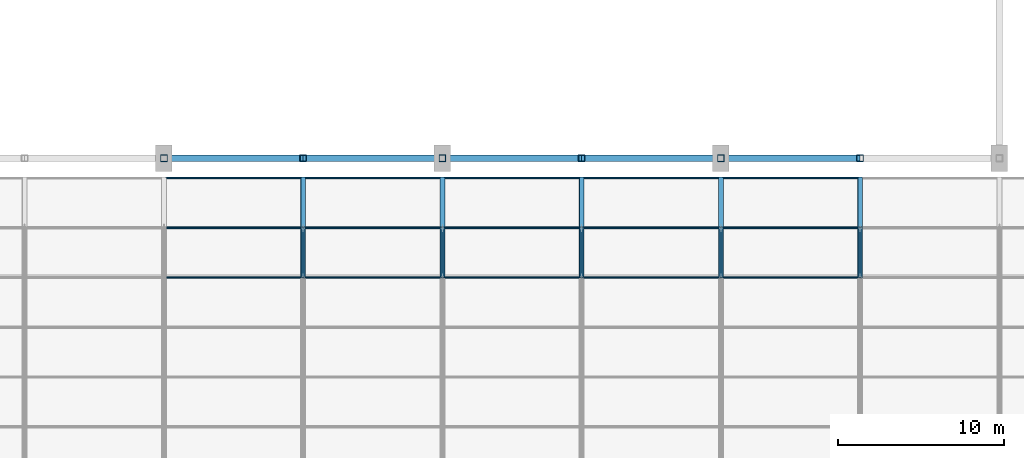
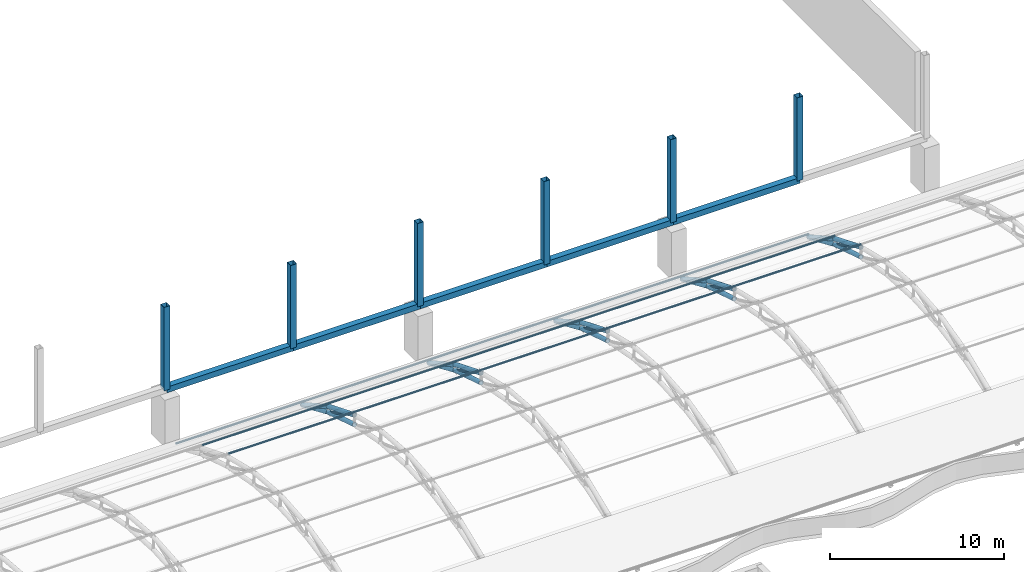
# One storey, part 54 of 163: 51 members.
"""IFC4 building model written with IfcOpenShell, lengths in metres."""

from ifc_helpers import new_model, si_unit, direction, frame, origin, origin_2d, place, context, subcontext, project, spatial, hollow_rectangle, hollow_circle, extrude, material, material_profile, profile_set, type_object, element, save


model = new_model("IFC4")

# Units and contexts
model_context = context("Model", 3, precision=1e-05, world=origin(), true_north=direction((0.0, 1.0)))
body_context = subcontext(model_context, "Body", "Model", "MODEL_VIEW")
ifc_project = project(units=[si_unit("LENGTHUNIT", "METRE"), si_unit("AREAUNIT", "SQUARE_METRE"), si_unit("VOLUMEUNIT", "CUBIC_METRE"), si_unit("PLANEANGLEUNIT", "RADIAN"), si_unit("MASSUNIT", "GRAM", prefix="KILO")], contexts=[model_context])

# Site, building, storey
site_placement = place(None, origin())
site = spatial("IfcSite", under=ifc_project, at=site_placement, CompositionType="ELEMENT")
building_placement = place(site_placement, origin())
building = spatial("IfcBuilding", under=site, at=building_placement, Name="Rain Tree Exposition and Congress Centre", CompositionType="ELEMENT")
storey_placement = place(building_placement, frame((0.0, 0.0, 10.5)))
storey = spatial("IfcBuildingStorey", under=building, at=storey_placement, Name="L02", CompositionType="ELEMENT", Elevation=10.5)

# Members
ifc_material_1 = material(Name="Steel S355J2H", Category="steel")
ifc_material_profile_1 = material_profile(ifc_material_1, hollow_circle(Radius=0.090087890625, WallThickness=0.008056640625, at=origin_2d()), Name="CHS 180x8")
ifc_profile_set_1 = profile_set([ifc_material_profile_1], Name="Steel S355J2H")
member_type_1 = type_object("IfcMemberType", Name="Steel brace member CHS 180x8", PredefinedType="BRACE", material=ifc_profile_set_1)
for number, where, z_axis, x_axis, name in (
    (1, (201.60009765625, 96.60009765625, 1.4423828125), (0.0, -0.880818418444, 0.473454236151), (1.0, 0.0, 0.0), "Roof truss 25 diagonal 6"),
    (2, (210.0, 96.60009765625, 1.4423828125), (0.0, -0.880818418444, 0.473454236151), (1.0, 0.0, 0.0), "Roof truss 26 diagonal 6"),
    (3, (218.39990234375, 96.60009765625, 1.4423828125), (0.0, -0.880818418444, 0.473454236151), (1.0, 0.0, 0.0), "Roof truss 27 diagonal 6"),
    (4, (226.800048828125, 96.60009765625, 1.4423828125), (0.0, -0.880818418444, 0.473454236151), (1.0, 0.0, 0.0), "Roof truss 28 diagonal 6"),
    (5, (235.199951171875, 96.60009765625, 1.4423828125), (0.0, -0.880818418444, 0.473454236151), (1.0, 0.0, 0.0), "Roof truss 29 diagonal 6"),
):
    element("IfcMember", number, at=place(storey_placement, frame(where, z_axis=z_axis, x_axis=x_axis)), inside=storey, type_object=member_type_1, Name=name, PredefinedType="BRACE", context=body_context, shape_type="SweptSolid", body=[
        extrude(hollow_circle(Radius=0.090087890625, WallThickness=0.008056640625, at=origin_2d()), origin(), (0.0, 0.0, 1.0), 3.406005859375),
    ])
ifc_material_2 = material(Name="Steel S355J2H", Category="steel")
ifc_material_profile_2 = material_profile(ifc_material_2, hollow_circle(Radius=0.14990234375, WallThickness=0.013916015625, at=origin_2d()), Name="CHS 300x14")
ifc_profile_set_2 = profile_set([ifc_material_profile_2], Name="Steel S355J2H")
member_type_2 = type_object("IfcMemberType", Name="Steel chord member CHS 300x14", PredefinedType="CHORD", material=ifc_profile_set_2)
member_1_placement = place(storey_placement, frame((201.60009765625, 93.60009765625, 3.054931640625), z_axis=(0.0, 0.926466577122, -0.376377046956), x_axis=(-1.0, 0.0, 0.0)))
element("IfcMember", 6, at=member_1_placement, inside=storey, type_object=member_type_2, Name="Roof truss 25 top chord 7", PredefinedType="CHORD", context=body_context, shape_type="SweptSolid", body=[
    extrude(hollow_circle(Radius=0.14990234375, WallThickness=0.013916015625, at=origin_2d()), origin(), (0.0, 0.0, 1.0), 3.238037109375),
])
member_2_placement = place(storey_placement, frame((201.60009765625, 93.60009765625, 2.3798828125), z_axis=(0.0, 0.954479978035, -0.298274993136), x_axis=(-1.0, 0.0, 0.0)))
element("IfcMember", 7, at=member_2_placement, inside=storey, type_object=member_type_2, Name="Roof truss 25 bottom chord 7", PredefinedType="CHORD", context=body_context, shape_type="SweptSolid", body=[
    extrude(hollow_circle(Radius=0.14990234375, WallThickness=0.013916015625, at=origin_2d()), origin(), (0.0, 0.0, 1.0), 3.14306640625),
])
member_3_placement = place(storey_placement, frame((201.60009765625, 96.60009765625, 1.836181640625), z_axis=(0.0, 0.869238262324, -0.494393409455), x_axis=(-1.0, 0.0, 0.0)))
element("IfcMember", 8, at=member_3_placement, inside=storey, type_object=member_type_2, Name="Roof truss 25 top chord 8", PredefinedType="CHORD", context=body_context, shape_type="SweptSolid", body=[
    extrude(hollow_circle(Radius=0.14990234375, WallThickness=0.013916015625, at=origin_2d()), origin(), (0.0, 0.0, 1.0), 3.451416015625),
])
member_4_placement = place(storey_placement, frame((201.60009765625, 96.60009765625, 1.4423828125), z_axis=(0.0, 0.916157334902, -0.40081883402), x_axis=(-1.0, 0.0, 0.0)))
element("IfcMember", 9, at=member_4_placement, inside=storey, type_object=member_type_2, Name="Roof truss 25 bottom chord 8", PredefinedType="CHORD", context=body_context, shape_type="SweptSolid", body=[
    extrude(hollow_circle(Radius=0.14990234375, WallThickness=0.013916015625, at=origin_2d()), origin(), (0.0, 0.0, 1.0), 3.274658203125),
])
member_5_placement = place(storey_placement, frame((210.0, 93.60009765625, 3.054931640625), z_axis=(0.0, 0.926466577122, -0.376377046956), x_axis=(-1.0, 0.0, 0.0)))
element("IfcMember", 10, at=member_5_placement, inside=storey, type_object=member_type_2, Name="Roof truss 26 top chord 7", PredefinedType="CHORD", context=body_context, shape_type="SweptSolid", body=[
    extrude(hollow_circle(Radius=0.14990234375, WallThickness=0.013916015625, at=origin_2d()), origin(), (0.0, 0.0, 1.0), 3.238037109375),
])
member_6_placement = place(storey_placement, frame((210.0, 93.60009765625, 2.3798828125), z_axis=(0.0, 0.954479978035, -0.298274993136), x_axis=(-1.0, 0.0, 0.0)))
element("IfcMember", 11, at=member_6_placement, inside=storey, type_object=member_type_2, Name="Roof truss 26 bottom chord 7", PredefinedType="CHORD", context=body_context, shape_type="SweptSolid", body=[
    extrude(hollow_circle(Radius=0.14990234375, WallThickness=0.013916015625, at=origin_2d()), origin(), (0.0, 0.0, 1.0), 3.14306640625),
])
member_7_placement = place(storey_placement, frame((210.0, 96.60009765625, 1.836181640625), z_axis=(0.0, 0.869238262324, -0.494393409455), x_axis=(-1.0, 0.0, 0.0)))
element("IfcMember", 12, at=member_7_placement, inside=storey, type_object=member_type_2, Name="Roof truss 26 top chord 8", PredefinedType="CHORD", context=body_context, shape_type="SweptSolid", body=[
    extrude(hollow_circle(Radius=0.14990234375, WallThickness=0.013916015625, at=origin_2d()), origin(), (0.0, 0.0, 1.0), 3.451416015625),
])
member_8_placement = place(storey_placement, frame((210.0, 96.60009765625, 1.4423828125), z_axis=(0.0, 0.916157334902, -0.40081883402), x_axis=(-1.0, 0.0, 0.0)))
element("IfcMember", 13, at=member_8_placement, inside=storey, type_object=member_type_2, Name="Roof truss 26 bottom chord 8", PredefinedType="CHORD", context=body_context, shape_type="SweptSolid", body=[
    extrude(hollow_circle(Radius=0.14990234375, WallThickness=0.013916015625, at=origin_2d()), origin(), (0.0, 0.0, 1.0), 3.274658203125),
])
member_9_placement = place(storey_placement, frame((218.39990234375, 93.60009765625, 3.054931640625), z_axis=(0.0, 0.926466577122, -0.376377046956), x_axis=(-1.0, 0.0, 0.0)))
element("IfcMember", 14, at=member_9_placement, inside=storey, type_object=member_type_2, Name="Roof truss 27 top chord 7", PredefinedType="CHORD", context=body_context, shape_type="SweptSolid", body=[
    extrude(hollow_circle(Radius=0.14990234375, WallThickness=0.013916015625, at=origin_2d()), origin(), (0.0, 0.0, 1.0), 3.238037109375),
])
member_10_placement = place(storey_placement, frame((218.39990234375, 93.60009765625, 2.3798828125), z_axis=(0.0, 0.954479978035, -0.298274993136), x_axis=(-1.0, 0.0, 0.0)))
element("IfcMember", 15, at=member_10_placement, inside=storey, type_object=member_type_2, Name="Roof truss 27 bottom chord 7", PredefinedType="CHORD", context=body_context, shape_type="SweptSolid", body=[
    extrude(hollow_circle(Radius=0.14990234375, WallThickness=0.013916015625, at=origin_2d()), origin(), (0.0, 0.0, 1.0), 3.14306640625),
])
member_11_placement = place(storey_placement, frame((218.39990234375, 96.60009765625, 1.836181640625), z_axis=(0.0, 0.869238262324, -0.494393409455), x_axis=(-1.0, 0.0, 0.0)))
element("IfcMember", 16, at=member_11_placement, inside=storey, type_object=member_type_2, Name="Roof truss 27 top chord 8", PredefinedType="CHORD", context=body_context, shape_type="SweptSolid", body=[
    extrude(hollow_circle(Radius=0.14990234375, WallThickness=0.013916015625, at=origin_2d()), origin(), (0.0, 0.0, 1.0), 3.451416015625),
])
member_12_placement = place(storey_placement, frame((218.39990234375, 96.60009765625, 1.4423828125), z_axis=(0.0, 0.916157334902, -0.40081883402), x_axis=(-1.0, 0.0, 0.0)))
element("IfcMember", 17, at=member_12_placement, inside=storey, type_object=member_type_2, Name="Roof truss 27 bottom chord 8", PredefinedType="CHORD", context=body_context, shape_type="SweptSolid", body=[
    extrude(hollow_circle(Radius=0.14990234375, WallThickness=0.013916015625, at=origin_2d()), origin(), (0.0, 0.0, 1.0), 3.274658203125),
])
member_13_placement = place(storey_placement, frame((226.800048828125, 93.60009765625, 3.054931640625), z_axis=(0.0, 0.926466577122, -0.376377046956), x_axis=(-1.0, 0.0, 0.0)))
element("IfcMember", 18, at=member_13_placement, inside=storey, type_object=member_type_2, Name="Roof truss 28 top chord 7", PredefinedType="CHORD", context=body_context, shape_type="SweptSolid", body=[
    extrude(hollow_circle(Radius=0.14990234375, WallThickness=0.013916015625, at=origin_2d()), origin(), (0.0, 0.0, 1.0), 3.238037109375),
])
member_14_placement = place(storey_placement, frame((226.800048828125, 93.60009765625, 2.3798828125), z_axis=(0.0, 0.954479978035, -0.298274993136), x_axis=(-1.0, 0.0, 0.0)))
element("IfcMember", 19, at=member_14_placement, inside=storey, type_object=member_type_2, Name="Roof truss 28 bottom chord 7", PredefinedType="CHORD", context=body_context, shape_type="SweptSolid", body=[
    extrude(hollow_circle(Radius=0.14990234375, WallThickness=0.013916015625, at=origin_2d()), origin(), (0.0, 0.0, 1.0), 3.14306640625),
])
member_15_placement = place(storey_placement, frame((226.800048828125, 96.60009765625, 1.836181640625), z_axis=(0.0, 0.869238262324, -0.494393409455), x_axis=(-1.0, 0.0, 0.0)))
element("IfcMember", 20, at=member_15_placement, inside=storey, type_object=member_type_2, Name="Roof truss 28 top chord 8", PredefinedType="CHORD", context=body_context, shape_type="SweptSolid", body=[
    extrude(hollow_circle(Radius=0.14990234375, WallThickness=0.013916015625, at=origin_2d()), origin(), (0.0, 0.0, 1.0), 3.451416015625),
])
member_16_placement = place(storey_placement, frame((226.800048828125, 96.60009765625, 1.4423828125), z_axis=(0.0, 0.916157334902, -0.40081883402), x_axis=(-1.0, 0.0, 0.0)))
element("IfcMember", 21, at=member_16_placement, inside=storey, type_object=member_type_2, Name="Roof truss 28 bottom chord 8", PredefinedType="CHORD", context=body_context, shape_type="SweptSolid", body=[
    extrude(hollow_circle(Radius=0.14990234375, WallThickness=0.013916015625, at=origin_2d()), origin(), (0.0, 0.0, 1.0), 3.274658203125),
])
member_17_placement = place(storey_placement, frame((235.199951171875, 93.60009765625, 3.054931640625), z_axis=(0.0, 0.926466577122, -0.376377046956), x_axis=(-1.0, 0.0, 0.0)))
element("IfcMember", 22, at=member_17_placement, inside=storey, type_object=member_type_2, Name="Roof truss 29 top chord 7", PredefinedType="CHORD", context=body_context, shape_type="SweptSolid", body=[
    extrude(hollow_circle(Radius=0.14990234375, WallThickness=0.013916015625, at=origin_2d()), origin(), (0.0, 0.0, 1.0), 3.238037109375),
])
member_18_placement = place(storey_placement, frame((235.199951171875, 93.60009765625, 2.3798828125), z_axis=(0.0, 0.954479978035, -0.298274993136), x_axis=(-1.0, 0.0, 0.0)))
element("IfcMember", 23, at=member_18_placement, inside=storey, type_object=member_type_2, Name="Roof truss 29 bottom chord 7", PredefinedType="CHORD", context=body_context, shape_type="SweptSolid", body=[
    extrude(hollow_circle(Radius=0.14990234375, WallThickness=0.013916015625, at=origin_2d()), origin(), (0.0, 0.0, 1.0), 3.14306640625),
])
member_19_placement = place(storey_placement, frame((235.199951171875, 96.60009765625, 1.836181640625), z_axis=(0.0, 0.869238262324, -0.494393409455), x_axis=(-1.0, 0.0, 0.0)))
element("IfcMember", 24, at=member_19_placement, inside=storey, type_object=member_type_2, Name="Roof truss 29 top chord 8", PredefinedType="CHORD", context=body_context, shape_type="SweptSolid", body=[
    extrude(hollow_circle(Radius=0.14990234375, WallThickness=0.013916015625, at=origin_2d()), origin(), (0.0, 0.0, 1.0), 3.451416015625),
])
member_20_placement = place(storey_placement, frame((235.199951171875, 96.60009765625, 1.4423828125), z_axis=(0.0, 0.916157334902, -0.40081883402), x_axis=(-1.0, 0.0, 0.0)))
element("IfcMember", 25, at=member_20_placement, inside=storey, type_object=member_type_2, Name="Roof truss 29 bottom chord 8", PredefinedType="CHORD", context=body_context, shape_type="SweptSolid", body=[
    extrude(hollow_circle(Radius=0.14990234375, WallThickness=0.013916015625, at=origin_2d()), origin(), (0.0, 0.0, 1.0), 3.274658203125),
])
ifc_material_3 = material(Name="Steel S355J2H", Category="steel")
ifc_material_profile_3 = material_profile(ifc_material_3, hollow_rectangle(XDim=0.39990234375, YDim=0.39990234375, WallThickness=0.011962890625, at=origin_2d()), Name="RHS 400x400x12")
ifc_profile_set_3 = profile_set([ifc_material_profile_3], Name="Steel S355J2H")
member_type_3 = type_object("IfcMemberType", Name="Steel chord member RHS 400x400x12", PredefinedType="CHORD", material=ifc_profile_set_3)
member_21_placement = place(storey_placement, frame((193.199951171875, 100.800048828125, 3.5), z_axis=(1.0, 0.0, 0.0), x_axis=(0.0, 1.0, 0.0)))
element("IfcMember", 26, at=member_21_placement, inside=storey, type_object=member_type_3, Name="Eaves chord 1159", PredefinedType="CHORD", context=body_context, shape_type="SweptSolid", body=[
    extrude(hollow_rectangle(XDim=0.39990234375, YDim=0.39990234375, WallThickness=0.011962890625, at=origin_2d()), origin(), (0.0, 0.0, 1.0), 8.400146484375),
])
for number, where, z_axis, x_axis, name in (
    (27, (201.60009765625, 100.800048828125, 3.5), (1.0, 0.0, 0.0), (0.0, 1.0, 0.0), "Eaves chord 1160"),
    (28, (210.0, 100.800048828125, 3.5), (1.0, 0.0, 0.0), (0.0, 1.0, 0.0), "Eaves chord 1161"),
):
    element("IfcMember", number, at=place(storey_placement, frame(where, z_axis=z_axis, x_axis=x_axis)), inside=storey, type_object=member_type_3, Name=name, PredefinedType="CHORD", context=body_context, shape_type="SweptSolid", body=[
        extrude(hollow_rectangle(XDim=0.39990234375, YDim=0.39990234375, WallThickness=0.011962890625, at=origin_2d()), origin(), (0.0, 0.0, 1.0), 8.39990234375),
    ])
member_22_placement = place(storey_placement, frame((218.39990234375, 100.800048828125, 3.5), z_axis=(1.0, 0.0, 0.0), x_axis=(0.0, 1.0, 0.0)))
element("IfcMember", 29, at=member_22_placement, inside=storey, type_object=member_type_3, Name="Eaves chord 1162", PredefinedType="CHORD", context=body_context, shape_type="SweptSolid", body=[
    extrude(hollow_rectangle(XDim=0.39990234375, YDim=0.39990234375, WallThickness=0.011962890625, at=origin_2d()), origin(), (0.0, 0.0, 1.0), 8.400146484375),
])
member_23_placement = place(storey_placement, frame((226.800048828125, 100.800048828125, 3.5), z_axis=(1.0, 0.0, 0.0), x_axis=(0.0, 1.0, 0.0)))
element("IfcMember", 30, at=member_23_placement, inside=storey, type_object=member_type_3, Name="Eaves chord 1163", PredefinedType="CHORD", context=body_context, shape_type="SweptSolid", body=[
    extrude(hollow_rectangle(XDim=0.39990234375, YDim=0.39990234375, WallThickness=0.011962890625, at=origin_2d()), origin(), (0.0, 0.0, 1.0), 8.39990234375),
])
ifc_material_4 = material(Name="Steel S355J2H", Category="steel")
ifc_material_profile_4 = material_profile(ifc_material_4, hollow_rectangle(XDim=0.39990234375, YDim=0.39990234375, WallThickness=0.011962890625, at=origin_2d()), Name="RHS 400x400x12")
ifc_profile_set_4 = profile_set([ifc_material_profile_4], Name="Steel S355J2H")
member_type_4 = type_object("IfcMemberType", Name="Steel post member RHS 400x400x12", PredefinedType="POST", material=ifc_profile_set_4)
for number, where, z_axis, x_axis, name in (
    (31, (193.199951171875, 100.800048828125, 3.5), (0.0, 0.0, 1.0), (1.0, 0.0, 0.0), "Eaves post 1171"),
    (32, (201.60009765625, 100.800048828125, 3.5), (0.0, 0.0, 1.0), (1.0, 0.0, 0.0), "Eaves post 1172"),
    (33, (210.0, 100.800048828125, 3.5), (0.0, 0.0, 1.0), (1.0, 0.0, 0.0), "Eaves post 1173"),
    (34, (218.39990234375, 100.800048828125, 3.5), (0.0, 0.0, 1.0), (1.0, 0.0, 0.0), "Eaves post 1174"),
    (35, (226.800048828125, 100.800048828125, 3.5), (0.0, 0.0, 1.0), (1.0, 0.0, 0.0), "Eaves post 1175"),
    (36, (235.199951171875, 100.800048828125, 3.5), (0.0, 0.0, 1.0), (1.0, 0.0, 0.0), "Eaves post 1176"),
):
    element("IfcMember", number, at=place(storey_placement, frame(where, z_axis=z_axis, x_axis=x_axis)), inside=storey, type_object=member_type_4, Name=name, PredefinedType="POST", context=body_context, shape_type="SweptSolid", body=[
        extrude(hollow_rectangle(XDim=0.39990234375, YDim=0.39990234375, WallThickness=0.011962890625, at=origin_2d()), origin(), (0.0, 0.0, 1.0), 5.85009765625),
    ])
ifc_material_5 = material(Name="Steel S355J2H", Category="steel")
ifc_material_profile_5 = material_profile(ifc_material_5, hollow_circle(Radius=0.070068359375, WallThickness=0.006103515625, at=origin_2d()), Name="CHS 140x6")
ifc_profile_set_5 = profile_set([ifc_material_profile_5], Name="Steel S355J2H")
member_type_5 = type_object("IfcMemberType", Name="Steel purlin member CHS 140x6", PredefinedType="PURLIN", material=ifc_profile_set_5)
member_24_placement = place(storey_placement, frame((193.199951171875, 93.60009765625, 3.27490234375), z_axis=(1.0, 0.0, 0.0), x_axis=(0.0, 1.0, 0.0)))
element("IfcMember", 37, at=member_24_placement, inside=storey, type_object=member_type_5, Name="Roof purlin 7.24", PredefinedType="PURLIN", context=body_context, shape_type="SweptSolid", body=[
    extrude(hollow_circle(Radius=0.070068359375, WallThickness=0.006103515625, at=origin_2d()), origin(), (0.0, 0.0, 1.0), 8.400146484375),
])
for number, where, z_axis, x_axis, name in (
    (38, (201.60009765625, 93.60009765625, 3.27490234375), (1.0, 0.0, 0.0), (0.0, 1.0, 0.0), "Roof purlin 7.25"),
    (39, (210.0, 93.60009765625, 3.27490234375), (1.0, 0.0, 0.0), (0.0, 1.0, 0.0), "Roof purlin 7.26"),
):
    element("IfcMember", number, at=place(storey_placement, frame(where, z_axis=z_axis, x_axis=x_axis)), inside=storey, type_object=member_type_5, Name=name, PredefinedType="PURLIN", context=body_context, shape_type="SweptSolid", body=[
        extrude(hollow_circle(Radius=0.070068359375, WallThickness=0.006103515625, at=origin_2d()), origin(), (0.0, 0.0, 1.0), 8.39990234375),
    ])
member_25_placement = place(storey_placement, frame((218.39990234375, 93.60009765625, 3.27490234375), z_axis=(1.0, 0.0, 0.0), x_axis=(0.0, 1.0, 0.0)))
element("IfcMember", 40, at=member_25_placement, inside=storey, type_object=member_type_5, Name="Roof purlin 7.27", PredefinedType="PURLIN", context=body_context, shape_type="SweptSolid", body=[
    extrude(hollow_circle(Radius=0.070068359375, WallThickness=0.006103515625, at=origin_2d()), origin(), (0.0, 0.0, 1.0), 8.400146484375),
])
member_26_placement = place(storey_placement, frame((226.800048828125, 93.60009765625, 3.27490234375), z_axis=(1.0, 0.0, 0.0), x_axis=(0.0, 1.0, 0.0)))
element("IfcMember", 41, at=member_26_placement, inside=storey, type_object=member_type_5, Name="Roof purlin 7.28", PredefinedType="PURLIN", context=body_context, shape_type="SweptSolid", body=[
    extrude(hollow_circle(Radius=0.070068359375, WallThickness=0.006103515625, at=origin_2d()), origin(), (0.0, 0.0, 1.0), 8.39990234375),
])
member_27_placement = place(storey_placement, frame((193.199951171875, 96.60009765625, 2.056396484375), z_axis=(1.0, 0.0, 0.0), x_axis=(0.0, 1.0, 0.0)))
element("IfcMember", 42, at=member_27_placement, inside=storey, type_object=member_type_5, Name="Roof purlin 8.24", PredefinedType="PURLIN", context=body_context, shape_type="SweptSolid", body=[
    extrude(hollow_circle(Radius=0.070068359375, WallThickness=0.006103515625, at=origin_2d()), origin(), (0.0, 0.0, 1.0), 8.400146484375),
])
for number, where, z_axis, x_axis, name in (
    (43, (201.60009765625, 96.60009765625, 2.056396484375), (1.0, 0.0, 0.0), (0.0, 1.0, 0.0), "Roof purlin 8.25"),
    (44, (210.0, 96.60009765625, 2.056396484375), (1.0, 0.0, 0.0), (0.0, 1.0, 0.0), "Roof purlin 8.26"),
):
    element("IfcMember", number, at=place(storey_placement, frame(where, z_axis=z_axis, x_axis=x_axis)), inside=storey, type_object=member_type_5, Name=name, PredefinedType="PURLIN", context=body_context, shape_type="SweptSolid", body=[
        extrude(hollow_circle(Radius=0.070068359375, WallThickness=0.006103515625, at=origin_2d()), origin(), (0.0, 0.0, 1.0), 8.39990234375),
    ])
member_28_placement = place(storey_placement, frame((218.39990234375, 96.60009765625, 2.056396484375), z_axis=(1.0, 0.0, 0.0), x_axis=(0.0, 1.0, 0.0)))
element("IfcMember", 45, at=member_28_placement, inside=storey, type_object=member_type_5, Name="Roof purlin 8.27", PredefinedType="PURLIN", context=body_context, shape_type="SweptSolid", body=[
    extrude(hollow_circle(Radius=0.070068359375, WallThickness=0.006103515625, at=origin_2d()), origin(), (0.0, 0.0, 1.0), 8.400146484375),
])
member_29_placement = place(storey_placement, frame((226.800048828125, 96.60009765625, 2.056396484375), z_axis=(1.0, 0.0, 0.0), x_axis=(0.0, 1.0, 0.0)))
element("IfcMember", 46, at=member_29_placement, inside=storey, type_object=member_type_5, Name="Roof purlin 8.28", PredefinedType="PURLIN", context=body_context, shape_type="SweptSolid", body=[
    extrude(hollow_circle(Radius=0.070068359375, WallThickness=0.006103515625, at=origin_2d()), origin(), (0.0, 0.0, 1.0), 8.39990234375),
])
member_30_placement = place(storey_placement, frame((193.199951171875, 99.60009765625, 0.35009765625), z_axis=(1.0, 0.0, 0.0), x_axis=(0.0, 1.0, 0.0)))
element("IfcMember", 47, at=member_30_placement, inside=storey, type_object=member_type_5, Name="Roof purlin 9.24", PredefinedType="PURLIN", context=body_context, shape_type="SweptSolid", body=[
    extrude(hollow_circle(Radius=0.070068359375, WallThickness=0.006103515625, at=origin_2d()), origin(), (0.0, 0.0, 1.0), 8.400146484375),
])
for number, where, z_axis, x_axis, name in (
    (48, (201.60009765625, 99.60009765625, 0.35009765625), (1.0, 0.0, 0.0), (0.0, 1.0, 0.0), "Roof purlin 9.25"),
    (49, (210.0, 99.60009765625, 0.35009765625), (1.0, 0.0, 0.0), (0.0, 1.0, 0.0), "Roof purlin 9.26"),
):
    element("IfcMember", number, at=place(storey_placement, frame(where, z_axis=z_axis, x_axis=x_axis)), inside=storey, type_object=member_type_5, Name=name, PredefinedType="PURLIN", context=body_context, shape_type="SweptSolid", body=[
        extrude(hollow_circle(Radius=0.070068359375, WallThickness=0.006103515625, at=origin_2d()), origin(), (0.0, 0.0, 1.0), 8.39990234375),
    ])
member_31_placement = place(storey_placement, frame((218.39990234375, 99.60009765625, 0.35009765625), z_axis=(1.0, 0.0, 0.0), x_axis=(0.0, 1.0, 0.0)))
element("IfcMember", 50, at=member_31_placement, inside=storey, type_object=member_type_5, Name="Roof purlin 9.27", PredefinedType="PURLIN", context=body_context, shape_type="SweptSolid", body=[
    extrude(hollow_circle(Radius=0.070068359375, WallThickness=0.006103515625, at=origin_2d()), origin(), (0.0, 0.0, 1.0), 8.400146484375),
])
member_32_placement = place(storey_placement, frame((226.800048828125, 99.60009765625, 0.35009765625), z_axis=(1.0, 0.0, 0.0), x_axis=(0.0, 1.0, 0.0)))
element("IfcMember", 51, at=member_32_placement, inside=storey, type_object=member_type_5, Name="Roof purlin 9.28", PredefinedType="PURLIN", context=body_context, shape_type="SweptSolid", body=[
    extrude(hollow_circle(Radius=0.070068359375, WallThickness=0.006103515625, at=origin_2d()), origin(), (0.0, 0.0, 1.0), 8.39990234375),
])

save(model, "model.ifc")
